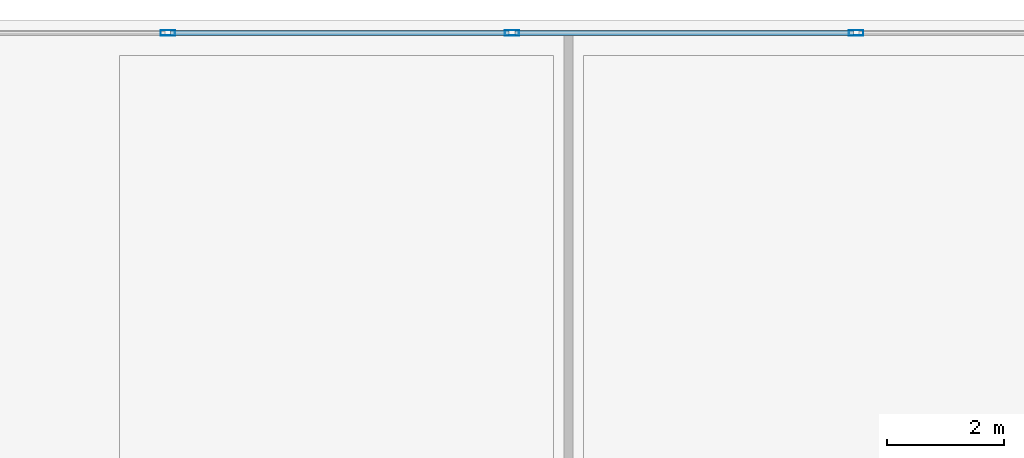
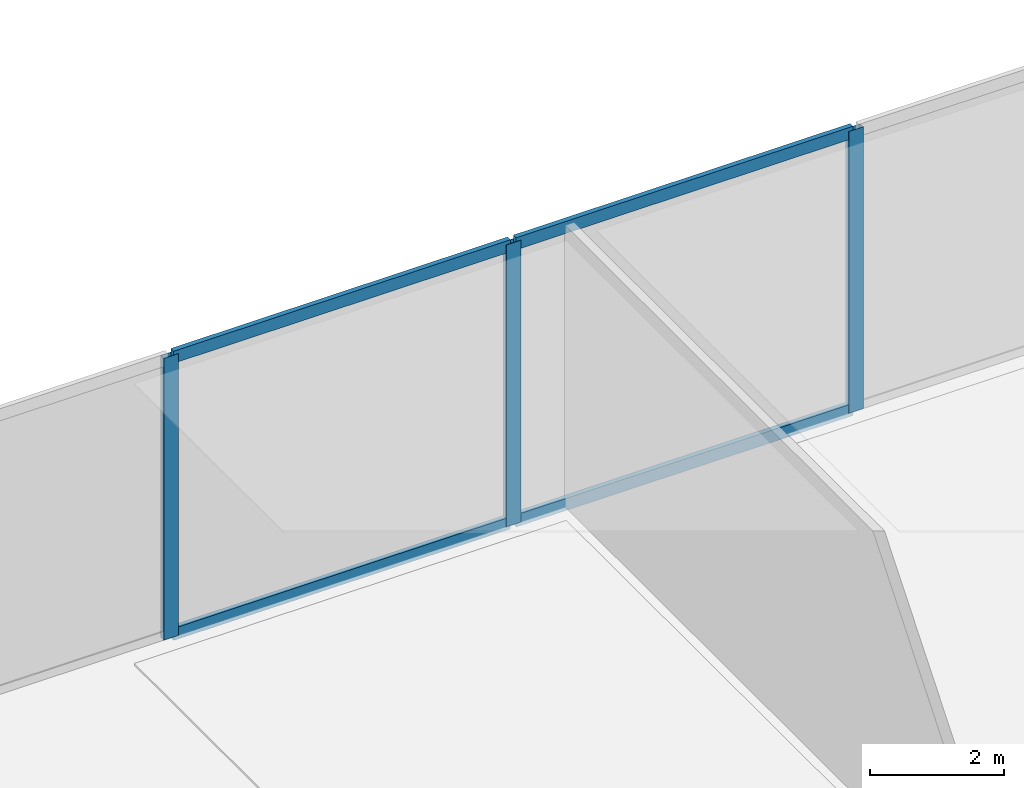
# One storey, part 17 of 27: 7 members, 1 element without a shape of its own.
"""IFC4 building model written with IfcOpenShell, lengths in metres."""

from ifc_helpers import new_model, si_unit, direction, frame, origin, origin_2d, place, context, subcontext, project, spatial, hollow_rectangle, extrude, material, layer, layer_set, material_profile, profile_set, type_object, element, aggregate, save


model = new_model("IFC4")

# Units and contexts
model_context = context("Model", 3, precision=1e-05, world=origin(), true_north=direction((0.0, 1.0)))
body_context = subcontext(model_context, "Body", "Model", "MODEL_VIEW")
ifc_project = project(units=[si_unit("LENGTHUNIT", "METRE"), si_unit("AREAUNIT", "SQUARE_METRE"), si_unit("VOLUMEUNIT", "CUBIC_METRE"), si_unit("PLANEANGLEUNIT", "RADIAN"), si_unit("MASSUNIT", "GRAM", prefix="KILO"), si_unit("THERMODYNAMICTEMPERATUREUNIT", "KELVIN"), si_unit("POWERUNIT", "WATT")], contexts=[model_context])

# Site, building, storey
site_placement = place(None, origin())
site = spatial("IfcSite", under=ifc_project, at=site_placement, CompositionType="ELEMENT")
building_placement = place(site_placement, origin())
building = spatial("IfcBuilding", under=site, at=building_placement, Name="Svarakhadi Broadcast Tower", CompositionType="ELEMENT")
storey_placement = place(building_placement, frame((0.0, 0.0, 5.699951171875)))
storey = spatial("IfcBuildingStorey", under=building, at=storey_placement, Name="L01", CompositionType="ELEMENT", Elevation=5.699951171875)

# Curtain wall, members
ifc_material = material(Name="Anodised Bronze Aluminium AA 6063-T6", Category="aluminium")
ifc_layer = layer(ifc_material, 0.25)
ifc_layer_set = layer_set([ifc_layer], Name="Anodised Bronze Aluminium AA 6063-T6")
curtain_wall_type = type_object("IfcCurtainWallType", Name="CW_Sys_01", PredefinedType="NOTDEFINED", material=ifc_layer_set)
curtain_wall_placement = place(storey_placement, origin())
curtain_wall = element("IfcCurtainWall", 1, at=curtain_wall_placement, inside=storey, type_object=curtain_wall_type, Name="L01 Unitised Facade Curtain Wall 05 Bay 2", PredefinedType="NOTDEFINED")
ifc_material_profile_1 = material_profile(ifc_material, hollow_rectangle(XDim=0.094970703125, YDim=0.25, WallThickness=0.006103515625, at=origin_2d()), Name="ALU MULLION 250x95x6")
ifc_profile_set_1 = profile_set([ifc_material_profile_1], Name="Anodised Bronze Aluminium AA 6063-T6")
member_type_1 = type_object("IfcMemberType", Name="CW_Sys_01_Mul", PredefinedType="MULLION", material=ifc_profile_set_1)
member_1_placement = place(storey_placement, frame((36.340087890625, 47.780029296875, 0.0), z_axis=(0.0, 0.0, 1.0), x_axis=(0.0, 1.0, 0.0)))
member_1 = element("IfcMember", 2, at=member_1_placement, type_object=member_type_1, Name="CW-01 mullion 5", PredefinedType="MULLION", context=body_context, shape_type="SweptSolid", body=[
    extrude(hollow_rectangle(XDim=0.094970703125, YDim=0.25, WallThickness=0.006103515625, at=origin_2d()), origin(), (0.0, 0.0, 1.0), 5.125),
])
member_2_placement = place(storey_placement, frame((42.232421875, 47.780029296875, 0.0), z_axis=(0.0, 0.0, 1.0), x_axis=(0.0, 1.0, 0.0)))
member_2 = element("IfcMember", 3, at=member_2_placement, type_object=member_type_1, Name="CW-01 mullion 6", PredefinedType="MULLION", context=body_context, shape_type="SweptSolid", body=[
    extrude(hollow_rectangle(XDim=0.094970703125, YDim=0.25, WallThickness=0.006103515625, at=origin_2d()), origin(), (0.0, 0.0, 1.0), 5.125),
])
member_3_placement = place(storey_placement, frame((48.125, 47.780029296875, 0.0), z_axis=(0.0, 0.0, 1.0), x_axis=(0.0, 1.0, 0.0)))
member_3 = element("IfcMember", 4, at=member_3_placement, type_object=member_type_1, Name="CW-01 mullion 7", PredefinedType="MULLION", context=body_context, shape_type="SweptSolid", body=[
    extrude(hollow_rectangle(XDim=0.094970703125, YDim=0.25, WallThickness=0.006103515625, at=origin_2d()), origin(), (0.0, 0.0, 1.0), 5.125),
])
ifc_material_profile_2 = material_profile(ifc_material, hollow_rectangle(XDim=0.0849609375, YDim=0.219970703125, WallThickness=0.0048828125, at=origin_2d()), Name="ALU TRANSOM 220x85x5")
ifc_profile_set_2 = profile_set([ifc_material_profile_2], Name="Anodised Bronze Aluminium AA 6063-T6")
member_type_2 = type_object("IfcMemberType", Name="CW_Sys_01_Trn", PredefinedType="USERDEFINED", material=ifc_profile_set_2)
member_4_placement = place(storey_placement, frame((36.387451171875, 47.780029296875, 0.04248046875), z_axis=(1.0, 0.0, 0.0), x_axis=(0.0, 1.0, 0.0)))
member_4 = element("IfcMember", 5, at=member_4_placement, type_object=member_type_2, Name="CW-01 transom 5.1", ObjectType="TRANSOM", PredefinedType="USERDEFINED", context=body_context, shape_type="SweptSolid", body=[
    extrude(hollow_rectangle(XDim=0.0849609375, YDim=0.219970703125, WallThickness=0.0048828125, at=origin_2d()), origin(), (0.0, 0.0, 1.0), 5.797607421875),
])
member_5_placement = place(storey_placement, frame((36.387451171875, 47.780029296875, 5.08251953125), z_axis=(1.0, 0.0, 0.0), x_axis=(0.0, 1.0, 0.0)))
member_5 = element("IfcMember", 6, at=member_5_placement, type_object=member_type_2, Name="CW-01 transom 5.2", ObjectType="TRANSOM", PredefinedType="USERDEFINED", context=body_context, shape_type="SweptSolid", body=[
    extrude(hollow_rectangle(XDim=0.0849609375, YDim=0.219970703125, WallThickness=0.0048828125, at=origin_2d()), origin(), (0.0, 0.0, 1.0), 5.797607421875),
])
member_6_placement = place(storey_placement, frame((42.280029296875, 47.780029296875, 0.04248046875), z_axis=(1.0, 0.0, 0.0), x_axis=(0.0, 1.0, 0.0)))
member_6 = element("IfcMember", 7, at=member_6_placement, type_object=member_type_2, Name="CW-01 transom 6.1", ObjectType="TRANSOM", PredefinedType="USERDEFINED", context=body_context, shape_type="SweptSolid", body=[
    extrude(hollow_rectangle(XDim=0.0849609375, YDim=0.219970703125, WallThickness=0.0048828125, at=origin_2d()), origin(), (0.0, 0.0, 1.0), 5.79736328125),
])
member_7_placement = place(storey_placement, frame((42.280029296875, 47.780029296875, 5.08251953125), z_axis=(1.0, 0.0, 0.0), x_axis=(0.0, 1.0, 0.0)))
member_7 = element("IfcMember", 8, at=member_7_placement, type_object=member_type_2, Name="CW-01 transom 6.2", ObjectType="TRANSOM", PredefinedType="USERDEFINED", context=body_context, shape_type="SweptSolid", body=[
    extrude(hollow_rectangle(XDim=0.0849609375, YDim=0.219970703125, WallThickness=0.0048828125, at=origin_2d()), origin(), (0.0, 0.0, 1.0), 5.79736328125),
])
aggregate(curtain_wall, [member_1, member_2, member_3, member_4, member_5, member_6, member_7])

save(model, "model.ifc")
